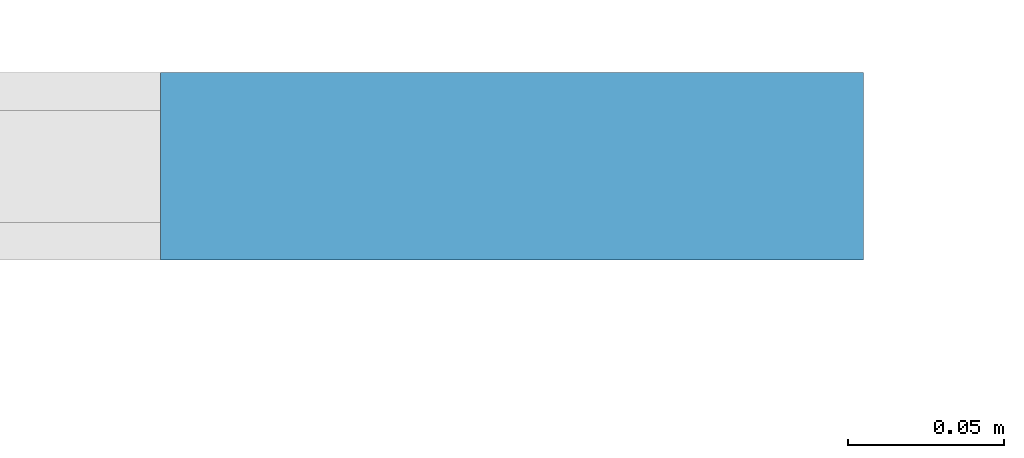
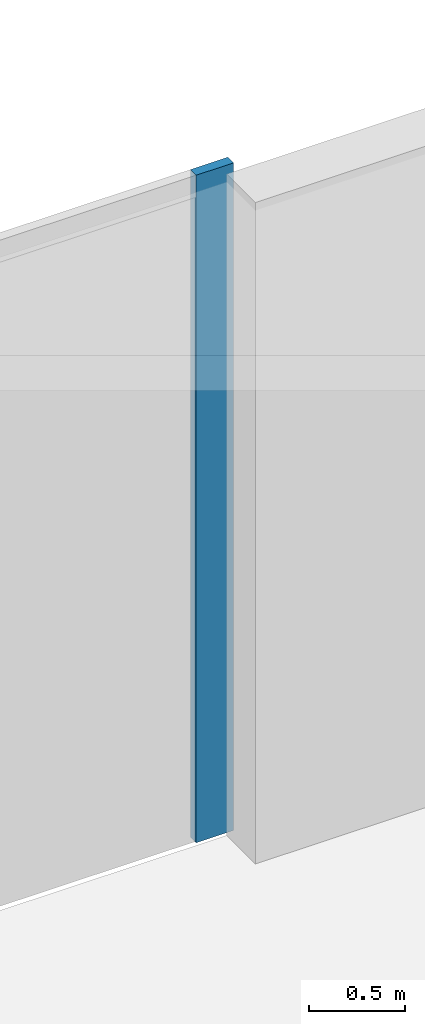
# One storey, part 22 of 43: 1 member, 1 element without a shape of its own.
"""IFC4 building model written with IfcOpenShell, lengths in metres."""

from ifc_helpers import new_model, si_unit, direction, frame, origin, origin_2d, place, context, subcontext, project, spatial, rectangle, extrude, material, layer, layer_set, material_profile, profile_set, type_object, element, aggregate, save


model = new_model("IFC4")

# Units and contexts
model_context = context("Model", 3, precision=1e-05, world=origin(), true_north=direction((0.0, 1.0)))
body_context = subcontext(model_context, "Body", "Model", "MODEL_VIEW")
ifc_project = project(units=[si_unit("LENGTHUNIT", "METRE"), si_unit("AREAUNIT", "SQUARE_METRE"), si_unit("VOLUMEUNIT", "CUBIC_METRE"), si_unit("PLANEANGLEUNIT", "RADIAN"), si_unit("MASSUNIT", "GRAM", prefix="KILO")], contexts=[model_context])

# Site, building, storey
site_placement = place(None, origin())
site = spatial("IfcSite", under=ifc_project, at=site_placement, CompositionType="ELEMENT")
building_placement = place(site_placement, origin())
building = spatial("IfcBuilding", under=site, at=building_placement, Name="Kheshtan School and Residences Tower", CompositionType="ELEMENT")
storey_placement = place(building_placement, frame((0.0, 0.0, 26.0)))
storey = spatial("IfcBuildingStorey", under=building, at=storey_placement, Name="L05", CompositionType="ELEMENT", Elevation=26.0)

# Curtain wall, member
ifc_material_1 = material(Name="Clear low-e glass in thermally broken aluminium frame", Category="aluminium")
ifc_layer = layer(ifc_material_1, 0.22509765625)
ifc_layer_set = layer_set([ifc_layer], Name="Curtain wall CW-P")
curtain_wall_type = type_object("IfcCurtainWallType", Name="Curtain wall CW-P", PredefinedType="NOTDEFINED", material=ifc_layer_set)
curtain_wall_placement = place(storey_placement, origin())
curtain_wall = element("IfcCurtainWall", 1, at=curtain_wall_placement, inside=storey, type_object=curtain_wall_type, Name="Curtain wall CWP4a", PredefinedType="NOTDEFINED")
ifc_material_2 = material(Name="Thermally broken aluminium, dark bronze anodised", Category="aluminium")
ifc_material_profile = material_profile(ifc_material_2, rectangle(XDim=0.06005859375, YDim=0.22509765625, at=origin_2d()), Name="CW-P mullion 60x225")
ifc_profile_set = profile_set([ifc_material_profile], Name="Thermally broken aluminium, dark bronze anodised")
member_type = type_object("IfcMemberType", Name="CW-P mullion 60x225", PredefinedType="MULLION", material=ifc_profile_set)
member_placement = place(storey_placement, frame((78.449951171875, 110.10009765625, 0.0), z_axis=(0.0, 0.0, 1.0), x_axis=(0.0, 1.0, 0.0)))
member = element("IfcMember", 2, at=member_placement, type_object=member_type, Name="CWP4a mullion 12", PredefinedType="MULLION", context=body_context, shape_type="SweptSolid", body=[
    extrude(rectangle(XDim=0.06005859375, YDim=0.22509765625, at=origin_2d()), origin(), (0.0, 0.0, 1.0), 4.25),
])
aggregate(curtain_wall, [member])

save(model, "model.ifc")
